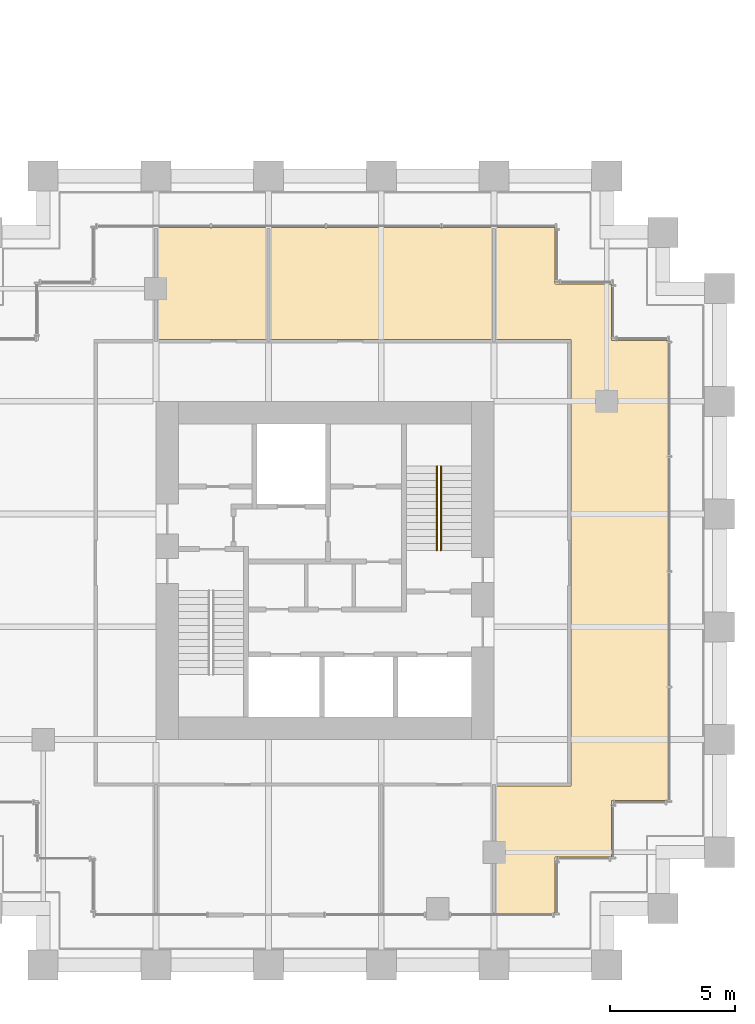
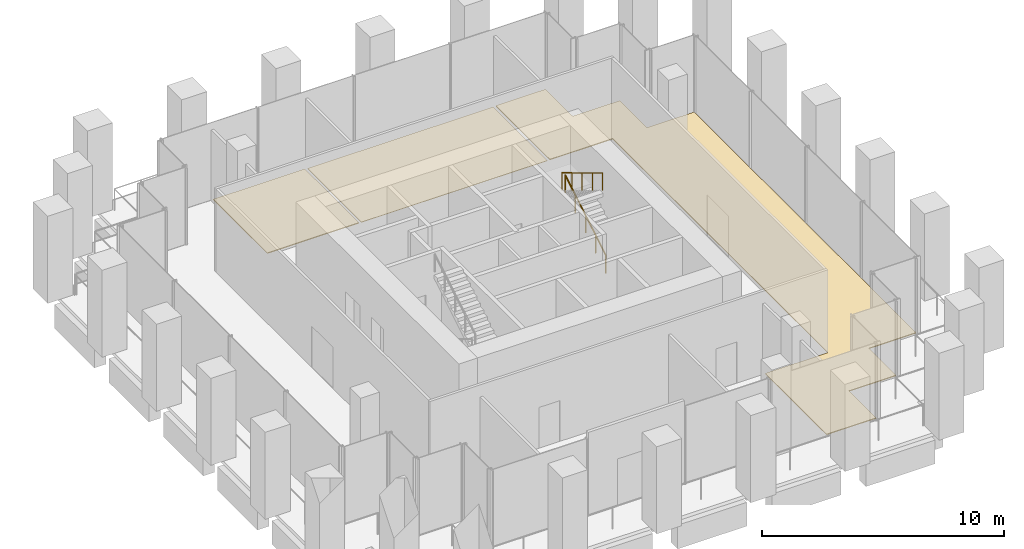
# One storey, part 36 of 36: 3 coverings, 2 railings.
"""IFC4 building model written with IfcOpenShell, lengths in metres."""

from ifc_helpers import new_model, si_unit, direction, frame, origin, origin_2d, place, context, subcontext, project, spatial, polyline, circle, outline, extrude, source, transform, mapped, material, layer, layer_set, type_object, element, save


model = new_model("IFC4")

# Units and contexts
model_context = context("Model", 3, precision=1e-05, world=origin(), true_north=direction((0.0, 1.0)))
body_context = subcontext(model_context, "Body", "Model", "MODEL_VIEW")
ifc_project = project(units=[si_unit("LENGTHUNIT", "METRE"), si_unit("AREAUNIT", "SQUARE_METRE"), si_unit("VOLUMEUNIT", "CUBIC_METRE"), si_unit("PLANEANGLEUNIT", "RADIAN"), si_unit("MASSUNIT", "GRAM", prefix="KILO")], contexts=[model_context])

# Site, building, storey
site_placement = place(None, origin())
site = spatial("IfcSite", under=ifc_project, at=site_placement, CompositionType="ELEMENT")
building_placement = place(site_placement, origin())
building = spatial("IfcBuilding", under=site, at=building_placement, Name="Altepetl Exchange Towers", CompositionType="ELEMENT")
storey_placement = place(building_placement, frame((0.0, 0.0, 25.39990234375)))
storey = spatial("IfcBuildingStorey", under=building, at=storey_placement, Name="L05", CompositionType="ELEMENT", Elevation=25.39990234375)

# Coverings
ifc_material_1 = material(Name="Carpet tile")
ifc_layer_1 = layer(ifc_material_1, 0.02001953125)
ifc_layer_set_1 = layer_set([ifc_layer_1], Name="Carpet tile")
covering_type_1 = type_object("IfcCoveringType", Name="Carpet tile floor", PredefinedType="FLOORING", material=ifc_layer_set_1)
covering_1_placement = place(storey_placement, origin())
element("IfcCovering", 1, at=covering_1_placement, inside=storey, type_object=covering_type_1, Name="Meeting room floor finish B05.05", PredefinedType="FLOORING", context=body_context, shape_type="SweptSolid", body=[
    extrude(outline(polyline([(108.0625, 56.4375), (108.0625, 51.96240234375), (116.9375, 51.96240234375), (116.9375, 56.4375), (108.0625, 56.4375)])), origin(), (0.0, 0.0, 1.0), 0.02001953125),
])
ifc_material_2 = material(Name="Calcium sulphate access floor panel")
ifc_layer_2 = layer(ifc_material_2, 0.0400390625)
ifc_layer_set_2 = layer_set([ifc_layer_2], Name="Calcium sulphate access floor panel")
covering_type_2 = type_object("IfcCoveringType", Name="Raised access floor panels", PredefinedType="FLOORING", material=ifc_layer_set_2)
covering_2_placement = place(storey_placement, origin())
element("IfcCovering", 2, at=covering_2_placement, inside=storey, type_object=covering_type_2, Name="Broker office floor finish B05.04", PredefinedType="FLOORING", context=body_context, shape_type="SweptSolid", body=[
    extrude(outline(polyline([(117.0625, 56.4375), (117.0625, 51.96240234375), (120.0625, 51.96240234375), (120.0625, 34.137451171875), (117.0625, 34.137451171875), (117.0625, 29.0625), (119.4375, 29.0625), (119.4375, 31.3125), (121.6875, 31.3125), (121.6875, 33.5625), (123.9375, 33.5625), (123.9375, 51.9375), (121.6875, 51.9375), (121.6875, 54.1875), (119.4375, 54.1875), (119.4375, 56.4375), (117.0625, 56.4375)])), origin(), (0.0, 0.0, 1.0), 0.0400390625),
])
covering_3_placement = place(storey_placement, origin())
element("IfcCovering", 3, at=covering_3_placement, inside=storey, type_object=covering_type_2, Name="Data room floor finish B05.06", PredefinedType="FLOORING", context=body_context, shape_type="SweptSolid", body=[
    extrude(outline(polyline([(103.5625, 56.4375), (103.5625, 51.96240234375), (107.9375, 51.96240234375), (107.9375, 56.4375), (103.5625, 56.4375)])), origin(), (0.0, 0.0, 1.0), 0.0400390625),
])

# Railings
ifc_material_3 = material(Name="Steel", Category="steel")
railing_type = type_object("IfcRailingType", Name="Stair handrail 50 steel tube", PredefinedType="HANDRAIL", material=ifc_material_3)
shared_shape = source(origin(), body_context, "Body", "SweptSolid", [
    extrude(circle(Radius=0.02099609375, at=origin_2d()), origin(), (0.0, 0.0, 1.0), 0.851806640625),
])
railing_1_placement = place(storey_placement, frame((114.8798828125, 43.550048828125, 0.169189453125)))
element("IfcRailing", 4, at=railing_1_placement, inside=storey, type_object=railing_type, Name="Stair handrail", PredefinedType="HANDRAIL", context=body_context, shape_type="SweptSolid", body=[
    extrude(circle(Radius=0.02392578125, at=origin_2d()), frame((0.0, 0.0, 0.8759765625), z_axis=(0.0, 0.855792808344, 0.517318730752), x_axis=(-1.0, 0.0, 0.0)), (0.0, 0.0, 1.0), 3.926025390625),
    mapped(shared_shape, transform((0.0, 0.0, 0.0))),
    mapped(shared_shape, transform((0.0, 0.83984375, 0.5078125))),
    mapped(shared_shape, transform((0.0, 1.679931640625, 1.015625))),
    mapped(shared_shape, transform((0.0, 2.52001953125, 1.523193359375))),
    mapped(shared_shape, transform((0.0, 3.35986328125, 2.031005859375))),
])
railing_2_placement = place(storey_placement, frame((114.719970703125, 46.909912109375, 2.369384765625)))
element("IfcRailing", 5, at=railing_2_placement, inside=storey, type_object=railing_type, Name="Stair handrail", PredefinedType="HANDRAIL", context=body_context, shape_type="SweptSolid", body=[
    extrude(circle(Radius=0.02392578125, at=origin_2d()), frame((0.0, 0.0, 0.8759765625), z_axis=(0.0, -0.855820338506, 0.51727318527), x_axis=(1.0, 0.0, 0.0)), (0.0, 0.0, 1.0), 3.92578125),
    mapped(shared_shape, transform((0.0, 0.0, 0.0))),
    mapped(shared_shape, transform((0.0, -0.83984375, 0.5078125))),
    mapped(shared_shape, transform((0.0, -1.679931640625, 1.015380859375))),
    mapped(shared_shape, transform((0.0, -2.52001953125, 1.52294921875))),
    mapped(shared_shape, transform((0.0, -3.35986328125, 2.03076171875))),
])

save(model, "model.ifc")
